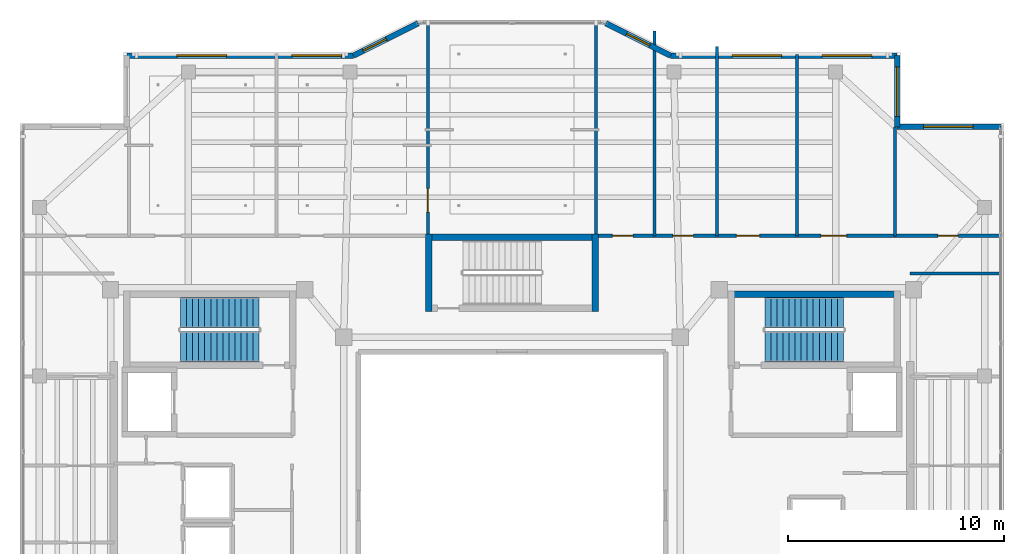
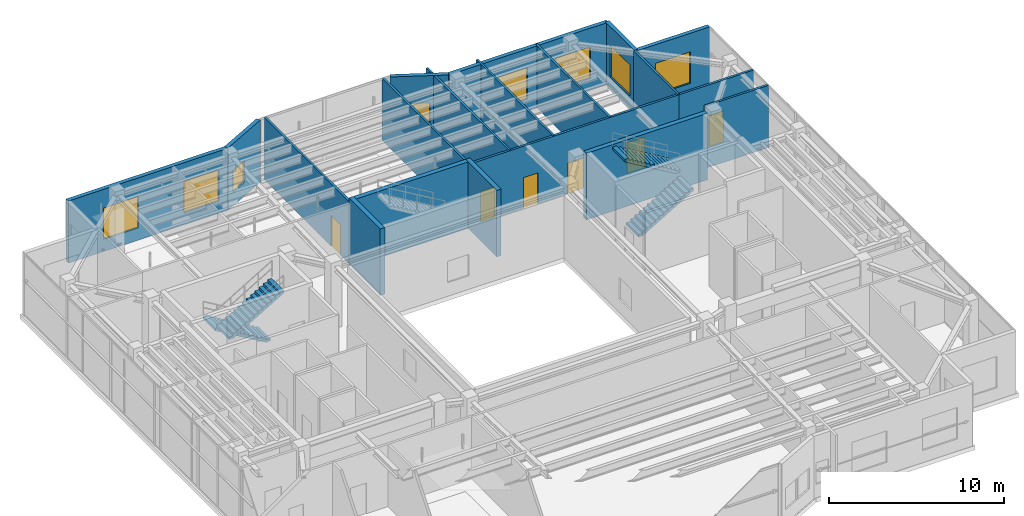
# One storey, part 17 of 25: 19 walls, 8 windows, 6 doors, 4 stair flights, 14 openings, 2 elements without a shape of their own.
"""IFC4 building model written with IfcOpenShell, lengths in metres."""

from ifc_helpers import new_model, si_unit, direction, frame, frame_2d, origin, place, context, subcontext, project, spatial, polyline, rectangle, outline, extrude, material, layer, layer_set, type_object, element, fill, aggregate, save


model = new_model("IFC4")

# Units and contexts
model_context = context("Model", 3, precision=1e-05, world=origin(), true_north=direction((0.0, 1.0)))
body_context = subcontext(model_context, "Body", "Model", "MODEL_VIEW")
ifc_project = project(units=[si_unit("LENGTHUNIT", "METRE"), si_unit("AREAUNIT", "SQUARE_METRE"), si_unit("VOLUMEUNIT", "CUBIC_METRE"), si_unit("PLANEANGLEUNIT", "RADIAN"), si_unit("MASSUNIT", "GRAM", prefix="KILO")], contexts=[model_context])

# Site, building, storey
site_placement = place(None, origin())
site = spatial("IfcSite", under=ifc_project, at=site_placement, CompositionType="ELEMENT")
building_placement = place(site_placement, origin())
building = spatial("IfcBuilding", under=site, at=building_placement, Name="Tarnavaz Court Tower", CompositionType="ELEMENT")
storey_placement = place(building_placement, frame((0.0, 0.0, 271.64990234375)))
storey = spatial("IfcBuildingStorey", under=building, at=storey_placement, Name="L74", CompositionType="ELEMENT", Elevation=271.64990234375)

# Walls
ifc_material_1 = material(Name="Concrete C50/60", Category="concrete")
ifc_layer_1 = layer(ifc_material_1, 0.300048828125)
ifc_layer_set_1 = layer_set([ifc_layer_1], Name="Concrete C50/60")
wall_type_1 = type_object("IfcWallType", Name="WL-CORE-300-C50", PredefinedType="SHEAR", material=ifc_layer_set_1)
for number, where, z_axis, x_axis, name in (
    (1, (10.0, 9.7900390625, 0.0), (0.0, 0.0, 1.0), (1.0, 0.0, 0.0), "L74 East Stair Core Wall 005"),
    (2, (-4.0, 12.43994140625, 0.0), (0.0, 0.0, 1.0), (1.0, 0.0, 0.0), "L74 North Stair Core Wall 009"),
):
    element("IfcWall", number, at=place(storey_placement, frame(where, z_axis=z_axis, x_axis=x_axis)), inside=storey, type_object=wall_type_1, Name=name, PredefinedType="SHEAR", context=body_context, shape_type="SweptSolid", body=[
        extrude(rectangle(XDim=8.0, YDim=0.300048828125, at=frame_2d((4.0, 0.0))), origin(), (0.0, 0.0, 1.0), 4.650146484375),
    ])
for number, where, z_axis, x_axis, name in (
    (3, (-3.85009765625, 9.0, 0.0), (0.0, 0.0, 1.0), (0.0, 1.0, 0.0), "L74 North Stair Core Wall 011"),
    (4, (3.85009765625, 9.0, 0.0), (0.0, 0.0, 1.0), (0.0, 1.0, 0.0), "L74 North Stair Core Wall 012"),
):
    element("IfcWall", number, at=place(storey_placement, frame(where, z_axis=z_axis, x_axis=x_axis)), inside=storey, type_object=wall_type_1, Name=name, PredefinedType="SHEAR", context=body_context, shape_type="SweptSolid", body=[
        extrude(rectangle(XDim=3.590087890625, YDim=0.300048828125, at=frame_2d((1.794921875, 0.0))), origin(), (0.0, 0.0, 1.0), 4.650146484375),
    ])

# Wall, openings, windows
ifc_material_2 = material(Name="Precast Concrete C40/50", Category="concrete")
ifc_layer_2 = layer(ifc_material_2, 0.260009765625)
ifc_layer_set_2 = layer_set([ifc_layer_2], Name="Precast Concrete C40/50")
wall_type_2 = type_object("IfcWallType", Name="WL-EXT-260", PredefinedType="SOLIDWALL", material=ifc_layer_set_2)
wall_1_placement = place(storey_placement, frame((-17.85009765625, 20.85009765625, 0.0), z_axis=(0.0, 0.0, 1.0), x_axis=(1.0, 0.0, 0.0)))
wall_1 = element("IfcWall", 5, at=wall_1_placement, inside=storey, type_object=wall_type_2, Name="L74 Exterior Terracotta Facade Wall 05", PredefinedType="SOLIDWALL", context=body_context, shape_type="SweptSolid", body=[
    extrude(rectangle(XDim=10.5, YDim=0.260009765625, at=frame_2d((5.25, 0.0))), origin(), (0.0, 0.0, 1.0), 4.35009765625),
])
opening_1_placement = place(wall_1_placement, frame((2.324951171875, 0.0, 0.85009765625)))
opening_1 = element("IfcOpeningElement", 6, at=opening_1_placement, cuts=wall_1, Name="Opening W12", PredefinedType="OPENING", context=body_context, shape_type="SweptSolid", body=[
    extrude(rectangle(XDim=2.300048828125, YDim=2.199951171875, at=frame_2d((1.14990234375, 1.10009765625))), frame((0.0, 0.139892578125, 0.0), z_axis=(0.0, -1.0, 0.0), x_axis=(1.0, 0.0, 0.0)), (0.0, 0.0, 1.0), 0.280029296875),
])
opening_2_placement = place(wall_1_placement, frame((7.64990234375, 0.0, 0.85009765625)))
opening_2 = element("IfcOpeningElement", 7, at=opening_2_placement, cuts=wall_1, Name="Opening W12", PredefinedType="OPENING", context=body_context, shape_type="SweptSolid", body=[
    extrude(rectangle(XDim=2.300048828125, YDim=2.199951171875, at=frame_2d((1.14990234375, 1.10009765625))), frame((0.0, 0.139892578125, 0.0), z_axis=(0.0, -1.0, 0.0), x_axis=(1.0, 0.0, 0.0)), (0.0, 0.0, 1.0), 0.280029296875),
])
ifc_material_3 = material(Name="Double-Glazed Solar Low-E Glass", Category="glass")
window_type_1 = type_object("IfcWindowType", Name="WN-COM-2300", PartitioningType="DOUBLE_PANEL_VERTICAL", PredefinedType="WINDOW", material=ifc_material_3)
window_1_placement = place(opening_1_placement, origin())
window_1 = element("IfcWindow", 8, at=window_1_placement, inside=storey, type_object=window_type_1, Name="L74 Public Observation Viewing Deck Window", OverallHeight=2.199951171875, OverallWidth=2.300048828125, PartitioningType="SINGLE_PANEL", PredefinedType="WINDOW", context=body_context, shape_type="SweptSolid", body=[
    extrude(rectangle(XDim=2.300048828125, YDim=2.199951171875, at=frame_2d((1.14990234375, 1.10009765625))), frame((0.0, 0.030029296875, 0.0), z_axis=(0.0, -1.0, 0.0), x_axis=(1.0, 0.0, 0.0)), (0.0, 0.0, 1.0), 0.06005859375),
])
fill(opening_1, window_1)
window_2_placement = place(opening_2_placement, origin())
window_2 = element("IfcWindow", 9, at=window_2_placement, inside=storey, type_object=window_type_1, Name="L74 Skyline Heritage Art Gallery Window", OverallHeight=2.199951171875, OverallWidth=2.300048828125, PartitioningType="SINGLE_PANEL", PredefinedType="WINDOW", context=body_context, shape_type="SweptSolid", body=[
    extrude(rectangle(XDim=2.300048828125, YDim=2.199951171875, at=frame_2d((1.14990234375, 1.10009765625))), frame((0.0, 0.030029296875, 0.0), z_axis=(0.0, -1.0, 0.0), x_axis=(1.0, 0.0, 0.0)), (0.0, 0.0, 1.0), 0.06005859375),
])
fill(opening_2, window_2)

# Wall, opening, window
wall_2_placement = place(storey_placement, frame((-7.35009765625, 20.85009765625, 0.0), z_axis=(0.0, 0.0, 1.0), x_axis=(0.894427191, 0.4472135955, 0.0)))
wall_2 = element("IfcWall", 10, at=wall_2_placement, inside=storey, type_object=wall_type_2, Name="L74 Exterior Terracotta Facade Wall 06", PredefinedType="SOLIDWALL", context=body_context, shape_type="SweptSolid", body=[
    extrude(rectangle(XDim=3.35400390625, YDim=0.260009765625, at=frame_2d((1.677001953125, 0.0))), origin(), (0.0, 0.0, 1.0), 4.35009765625),
])
opening_3_placement = place(wall_2_placement, frame((0.501220703125, 0.0, 0.949951171875)))
opening_3 = element("IfcOpeningElement", 11, at=opening_3_placement, cuts=wall_2, Name="Opening W05", PredefinedType="OPENING", context=body_context, shape_type="SweptSolid", body=[
    extrude(rectangle(XDim=1.199951171875, YDim=1.5, at=frame_2d((0.60009765625, 0.75))), frame((0.0, 0.139892578125, 0.0), z_axis=(0.0, -1.0, 0.0), x_axis=(1.0, 0.0, 0.0)), (0.0, 0.0, 1.0), 0.280029296875),
])
window_type_2 = type_object("IfcWindowType", Name="WN-APT-1200", PartitioningType="SINGLE_PANEL", PredefinedType="WINDOW", material=ifc_material_3)
window_3_placement = place(opening_3_placement, origin())
window_3 = element("IfcWindow", 12, at=window_3_placement, inside=storey, type_object=window_type_2, Name="L74 Skyline Heritage Art Gallery Window", OverallHeight=1.5, OverallWidth=1.199951171875, PartitioningType="SINGLE_PANEL", PredefinedType="WINDOW", context=body_context, shape_type="SweptSolid", body=[
    extrude(rectangle(XDim=1.199951171875, YDim=1.5, at=frame_2d((0.60009765625, 0.75))), frame((0.0, 0.030029296875, 0.0), z_axis=(0.0, -1.0, 0.0), x_axis=(1.0, 0.0, 0.0)), (0.0, 0.0, 1.0), 0.06005859375),
])
fill(opening_3, window_3)

wall_3_placement = place(storey_placement, frame((4.35009765625, 22.35009765625, 0.0), z_axis=(0.0, 0.0, 1.0), x_axis=(0.894427191, -0.4472135955, 0.0)))
wall_3 = element("IfcWall", 13, at=wall_3_placement, inside=storey, type_object=wall_type_2, Name="L74 Exterior Terracotta Facade Wall 08", PredefinedType="SOLIDWALL", context=body_context, shape_type="SweptSolid", body=[
    extrude(rectangle(XDim=3.35400390625, YDim=0.260009765625, at=frame_2d((1.677001953125, 0.0))), origin(), (0.0, 0.0, 1.0), 4.35009765625),
])
opening_4_placement = place(wall_3_placement, frame((1.0771484375, 0.0, 0.949951171875)))
opening_4 = element("IfcOpeningElement", 14, at=opening_4_placement, cuts=wall_3, Name="Opening W05", PredefinedType="OPENING", context=body_context, shape_type="SweptSolid", body=[
    extrude(rectangle(XDim=1.199951171875, YDim=1.5, at=frame_2d((0.60009765625, 0.75))), frame((0.0, 0.139892578125, 0.0), z_axis=(0.0, -1.0, 0.0), x_axis=(1.0, 0.0, 0.0)), (0.0, 0.0, 1.0), 0.280029296875),
])
window_4_placement = place(opening_4_placement, origin())
window_4 = element("IfcWindow", 15, at=window_4_placement, inside=storey, type_object=window_type_2, Name="L74 Prow Cheek Bedroom Window 08", OverallHeight=1.5, OverallWidth=1.199951171875, PartitioningType="SINGLE_PANEL", PredefinedType="WINDOW", context=body_context, shape_type="SweptSolid", body=[
    extrude(rectangle(XDim=1.199951171875, YDim=1.5, at=frame_2d((0.60009765625, 0.75))), frame((0.0, 0.030029296875, 0.0), z_axis=(0.0, -1.0, 0.0), x_axis=(1.0, 0.0, 0.0)), (0.0, 0.0, 1.0), 0.06005859375),
])
fill(opening_4, window_4)

# Wall, openings, windows
wall_4_placement = place(storey_placement, frame((7.35009765625, 20.85009765625, 0.0), z_axis=(0.0, 0.0, 1.0), x_axis=(1.0, 0.0, 0.0)))
wall_4 = element("IfcWall", 16, at=wall_4_placement, inside=storey, type_object=wall_type_2, Name="L74 Exterior Terracotta Facade Wall 09", PredefinedType="SOLIDWALL", context=body_context, shape_type="SweptSolid", body=[
    extrude(rectangle(XDim=10.5, YDim=0.260009765625, at=frame_2d((5.25, 0.0))), origin(), (0.0, 0.0, 1.0), 4.35009765625),
])
opening_5_placement = place(wall_4_placement, frame((2.85009765625, 0.0, 0.85009765625)))
opening_5 = element("IfcOpeningElement", 17, at=opening_5_placement, cuts=wall_4, Name="Opening W12", PredefinedType="OPENING", context=body_context, shape_type="SweptSolid", body=[
    extrude(rectangle(XDim=2.300048828125, YDim=2.199951171875, at=frame_2d((1.14990234375, 1.10009765625))), frame((0.0, 0.139892578125, 0.0), z_axis=(0.0, -1.0, 0.0), x_axis=(1.0, 0.0, 0.0)), (0.0, 0.0, 1.0), 0.280029296875),
])
opening_6_placement = place(wall_4_placement, frame((7.02490234375, 0.0, 0.85009765625)))
opening_6 = element("IfcOpeningElement", 18, at=opening_6_placement, cuts=wall_4, Name="Opening W12", PredefinedType="OPENING", context=body_context, shape_type="SweptSolid", body=[
    extrude(rectangle(XDim=2.300048828125, YDim=2.199951171875, at=frame_2d((1.14990234375, 1.10009765625))), frame((0.0, 0.139892578125, 0.0), z_axis=(0.0, -1.0, 0.0), x_axis=(1.0, 0.0, 0.0)), (0.0, 0.0, 1.0), 0.280029296875),
])
window_5_placement = place(opening_5_placement, origin())
window_5 = element("IfcWindow", 19, at=window_5_placement, inside=storey, type_object=window_type_1, Name="L74 Community Seminar Meeting Room Window", OverallHeight=2.199951171875, OverallWidth=2.300048828125, PartitioningType="SINGLE_PANEL", PredefinedType="WINDOW", context=body_context, shape_type="SweptSolid", body=[
    extrude(rectangle(XDim=2.300048828125, YDim=2.199951171875, at=frame_2d((1.14990234375, 1.10009765625))), frame((0.0, 0.030029296875, 0.0), z_axis=(0.0, -1.0, 0.0), x_axis=(1.0, 0.0, 0.0)), (0.0, 0.0, 1.0), 0.06005859375),
])
fill(opening_5, window_5)
window_6_placement = place(opening_6_placement, origin())
window_6 = element("IfcWindow", 20, at=window_6_placement, inside=storey, type_object=window_type_1, Name="L74 Panoramic Exhibition Lecture Room Window", OverallHeight=2.199951171875, OverallWidth=2.300048828125, PartitioningType="SINGLE_PANEL", PredefinedType="WINDOW", context=body_context, shape_type="SweptSolid", body=[
    extrude(rectangle(XDim=2.300048828125, YDim=2.199951171875, at=frame_2d((1.14990234375, 1.10009765625))), frame((0.0, 0.030029296875, 0.0), z_axis=(0.0, -1.0, 0.0), x_axis=(1.0, 0.0, 0.0)), (0.0, 0.0, 1.0), 0.06005859375),
])
fill(opening_6, window_6)

# Wall, opening, window
wall_5_placement = place(storey_placement, frame((17.85009765625, 20.85009765625, 0.0), z_axis=(0.0, 0.0, 1.0), x_axis=(0.0, -1.0, 0.0)))
wall_5 = element("IfcWall", 21, at=wall_5_placement, inside=storey, type_object=wall_type_2, Name="L74 Exterior Terracotta Facade Wall 10", PredefinedType="SOLIDWALL", context=body_context, shape_type="SweptSolid", body=[
    extrude(rectangle(XDim=3.300048828125, YDim=0.260009765625, at=frame_2d((1.64990234375, 0.0))), origin(), (0.0, 0.0, 1.0), 4.35009765625),
])
opening_7_placement = place(wall_5_placement, frame((0.517578125, 0.0, 0.85009765625)))
opening_7 = element("IfcOpeningElement", 22, at=opening_7_placement, cuts=wall_5, Name="Opening W12", PredefinedType="OPENING", context=body_context, shape_type="SweptSolid", body=[
    extrude(rectangle(XDim=2.300048828125, YDim=2.199951171875, at=frame_2d((1.14990234375, 1.10009765625))), frame((0.0, 0.139892578125, 0.0), z_axis=(0.0, -1.0, 0.0), x_axis=(1.0, 0.0, 0.0)), (0.0, 0.0, 1.0), 0.280029296875),
])
window_7_placement = place(opening_7_placement, origin())
window_7 = element("IfcWindow", 23, at=window_7_placement, inside=storey, type_object=window_type_1, Name="L74 Panoramic Exhibition Lecture Room Window", OverallHeight=2.199951171875, OverallWidth=2.300048828125, PartitioningType="SINGLE_PANEL", PredefinedType="WINDOW", context=body_context, shape_type="SweptSolid", body=[
    extrude(rectangle(XDim=2.300048828125, YDim=2.199951171875, at=frame_2d((1.14990234375, 1.10009765625))), frame((0.0, 0.030029296875, 0.0), z_axis=(0.0, -1.0, 0.0), x_axis=(1.0, 0.0, 0.0)), (0.0, 0.0, 1.0), 0.06005859375),
])
fill(opening_7, window_7)

wall_6_placement = place(storey_placement, frame((17.85009765625, 17.550048828125, 0.0), z_axis=(0.0, 0.0, 1.0), x_axis=(1.0, 0.0, 0.0)))
wall_6 = element("IfcWall", 24, at=wall_6_placement, inside=storey, type_object=wall_type_2, Name="L74 Exterior Terracotta Facade Wall 11", PredefinedType="SOLIDWALL", context=body_context, shape_type="SweptSolid", body=[
    extrude(rectangle(XDim=4.7998046875, YDim=0.260009765625, at=frame_2d((2.39990234375, 0.0))), origin(), (0.0, 0.0, 1.0), 4.35009765625),
])
opening_8_placement = place(wall_6_placement, frame((1.224609375, 0.0, 0.85009765625)))
opening_8 = element("IfcOpeningElement", 25, at=opening_8_placement, cuts=wall_6, Name="Opening W12", PredefinedType="OPENING", context=body_context, shape_type="SweptSolid", body=[
    extrude(rectangle(XDim=2.300048828125, YDim=2.199951171875, at=frame_2d((1.14990234375, 1.10009765625))), frame((0.0, 0.139892578125, 0.0), z_axis=(0.0, -1.0, 0.0), x_axis=(1.0, 0.0, 0.0)), (0.0, 0.0, 1.0), 0.280029296875),
])
window_8_placement = place(opening_8_placement, origin())
window_8 = element("IfcWindow", 26, at=window_8_placement, inside=storey, type_object=window_type_1, Name="L74 L74 NE Terrace Salon Window", OverallHeight=2.199951171875, OverallWidth=2.300048828125, PartitioningType="SINGLE_PANEL", PredefinedType="WINDOW", context=body_context, shape_type="SweptSolid", body=[
    extrude(rectangle(XDim=2.300048828125, YDim=2.199951171875, at=frame_2d((1.14990234375, 1.10009765625))), frame((0.0, 0.030029296875, 0.0), z_axis=(0.0, -1.0, 0.0), x_axis=(1.0, 0.0, 0.0)), (0.0, 0.0, 1.0), 0.06005859375),
])
fill(opening_8, window_8)

# Wall, openings, doors
ifc_material_4 = material(Name="Gypsum Fire-Board on Acoustic Metal Stud", Category="masonry")
ifc_layer_3 = layer(ifc_material_4, 0.14990234375)
ifc_layer_set_3 = layer_set([ifc_layer_3], Name="Gypsum Fire-Board on Acoustic Metal Stud")
wall_type_3 = type_object("IfcWallType", Name="WL-FIRE-150", PredefinedType="PARTITIONING", material=ifc_layer_set_3)
wall_7_placement = place(storey_placement, frame((3.85009765625, 12.5, 0.0), z_axis=(0.0, 0.0, 1.0), x_axis=(1.0, 0.0, 0.0)))
wall_7 = element("IfcWall", 27, at=wall_7_placement, inside=storey, type_object=wall_type_3, Name="L74 NE Wing Corridor Wall 055", PredefinedType="PARTITIONING", context=body_context, shape_type="SweptSolid", body=[
    extrude(rectangle(XDim=13.89990234375, YDim=0.14990234375, at=frame_2d((6.949951171875, 0.0))), origin(), (0.0, 0.0, 1.0), 4.35009765625),
])
opening_9_placement = place(wall_7_placement, frame((0.800048828125, 0.0, 0.0)))
opening_9 = element("IfcOpeningElement", 28, at=opening_9_placement, cuts=wall_7, Name="Opening D13", PredefinedType="OPENING", context=body_context, shape_type="SweptSolid", body=[
    extrude(rectangle(XDim=0.949951171875, YDim=2.14990234375, at=frame_2d((0.47509765625, 1.074951171875))), frame((0.0, 0.0849609375, 0.0), z_axis=(0.0, -1.0, 0.0), x_axis=(1.0, 0.0, 0.0)), (0.0, 0.0, 1.0), 0.169921875),
])
opening_10_placement = place(wall_7_placement, frame((3.60009765625, 0.0, 0.0)))
opening_10 = element("IfcOpeningElement", 29, at=opening_10_placement, cuts=wall_7, Name="Opening D13", PredefinedType="OPENING", context=body_context, shape_type="SweptSolid", body=[
    extrude(rectangle(XDim=0.949951171875, YDim=2.14990234375, at=frame_2d((0.47509765625, 1.074951171875))), frame((0.0, 0.0849609375, 0.0), z_axis=(0.0, -1.0, 0.0), x_axis=(1.0, 0.0, 0.0)), (0.0, 0.0, 1.0), 0.169921875),
])
opening_11_placement = place(wall_7_placement, frame((6.550048828125, 0.0, 0.0)))
opening_11 = element("IfcOpeningElement", 30, at=opening_11_placement, cuts=wall_7, Name="Opening D12", PredefinedType="OPENING", context=body_context, shape_type="SweptSolid", body=[
    extrude(rectangle(XDim=1.080078125, YDim=2.14990234375, at=frame_2d((0.5400390625, 1.074951171875))), frame((0.0, 0.0849609375, 0.0), z_axis=(0.0, -1.0, 0.0), x_axis=(1.0, 0.0, 0.0)), (0.0, 0.0, 1.0), 0.169921875),
])
opening_12_placement = place(wall_7_placement, frame((10.4619140625, 0.0, 0.0)))
opening_12 = element("IfcOpeningElement", 31, at=opening_12_placement, cuts=wall_7, Name="Opening D11", PredefinedType="OPENING", context=body_context, shape_type="SweptSolid", body=[
    extrude(rectangle(XDim=1.199951171875, YDim=2.14990234375, at=frame_2d((0.60009765625, 1.074951171875))), frame((0.0, 0.0849609375, 0.0), z_axis=(0.0, -1.0, 0.0), x_axis=(1.0, 0.0, 0.0)), (0.0, 0.0, 1.0), 0.169921875),
])
ifc_material_5 = material(Name="Engineered Oak Timber", Category="wood")
door_type_1 = type_object("IfcDoorType", Name="DR-INT-1100", OperationType="NOTDEFINED", PredefinedType="DOOR", material=ifc_material_5)
door_1_placement = place(opening_11_placement, origin())
door_1 = element("IfcDoor", 32, at=door_1_placement, inside=storey, type_object=door_type_1, Name="L74 Community Meeting Room Door", OperationType="SINGLE_SWING_LEFT", OverallHeight=2.14990234375, OverallWidth=1.080078125, PredefinedType="DOOR", context=body_context, shape_type="SweptSolid", body=[
    extrude(rectangle(XDim=1.080078125, YDim=2.14990234375, at=frame_2d((0.5400390625, 1.074951171875))), frame((0.0, 0.02490234375, 0.0), z_axis=(0.0, -1.0, 0.0), x_axis=(1.0, 0.0, 0.0)), (0.0, 0.0, 1.0), 0.050048828125),
])
fill(opening_11, door_1)
door_type_2 = type_object("IfcDoorType", Name="DR-INT-1200", OperationType="NOTDEFINED", PredefinedType="DOOR", material=ifc_material_5)
door_2_placement = place(opening_12_placement, origin())
door_2 = element("IfcDoor", 33, at=door_2_placement, inside=storey, type_object=door_type_2, Name="L74 Panoramic Exhibition Lecture Room Door", OperationType="SINGLE_SWING_RIGHT", OverallHeight=2.14990234375, OverallWidth=1.199951171875, PredefinedType="DOOR", context=body_context, shape_type="SweptSolid", body=[
    extrude(rectangle(XDim=1.199951171875, YDim=2.14990234375, at=frame_2d((0.60009765625, 1.074951171875))), frame((0.0, 0.02490234375, 0.0), z_axis=(0.0, -1.0, 0.0), x_axis=(1.0, 0.0, 0.0)), (0.0, 0.0, 1.0), 0.050048828125),
])
fill(opening_12, door_2)
door_type_3 = type_object("IfcDoorType", Name="DR-INT-950", OperationType="NOTDEFINED", PredefinedType="DOOR", material=ifc_material_5)
door_3_placement = place(opening_9_placement, origin())
door_3 = element("IfcDoor", 34, at=door_3_placement, inside=storey, type_object=door_type_3, Name="L74 Accessible WC Door", OperationType="SINGLE_SWING_LEFT", OverallHeight=2.14990234375, OverallWidth=0.949951171875, PredefinedType="DOOR", context=body_context, shape_type="SweptSolid", body=[
    extrude(rectangle(XDim=0.949951171875, YDim=2.14990234375, at=frame_2d((0.47509765625, 1.074951171875))), frame((0.0, 0.02490234375, 0.0), z_axis=(0.0, -1.0, 0.0), x_axis=(1.0, 0.0, 0.0)), (0.0, 0.0, 1.0), 0.050048828125),
])
fill(opening_9, door_3)
door_4_placement = place(opening_10_placement, origin())
door_4 = element("IfcDoor", 35, at=door_4_placement, inside=storey, type_object=door_type_3, Name="L74 Public Toilets Door", OperationType="SINGLE_SWING_RIGHT", OverallHeight=2.14990234375, OverallWidth=0.949951171875, PredefinedType="DOOR", context=body_context, shape_type="SweptSolid", body=[
    extrude(rectangle(XDim=0.949951171875, YDim=2.14990234375, at=frame_2d((0.47509765625, 1.074951171875))), frame((0.0, 0.02490234375, 0.0), z_axis=(0.0, -1.0, 0.0), x_axis=(1.0, 0.0, 0.0)), (0.0, 0.0, 1.0), 0.050048828125),
])
fill(opening_10, door_4)

# Wall
wall_8_placement = place(storey_placement, frame((18.449951171875, 10.75, 0.0), z_axis=(0.0, 0.0, 1.0), x_axis=(1.0, 0.0, 0.0)))
element("IfcWall", 36, at=wall_8_placement, inside=storey, type_object=wall_type_3, Name="L74 Interior Partition 072", PredefinedType="PARTITIONING", context=body_context, shape_type="SweptSolid", body=[
    extrude(rectangle(XDim=4.22998046875, YDim=0.14990234375, at=frame_2d((2.114990234375, 0.0))), origin(), (0.0, 0.0, 1.0), 4.35009765625),
])

# Wall, opening, door
wall_9_placement = place(storey_placement, frame((17.75, 12.5, 0.0), z_axis=(0.0, 0.0, 1.0), x_axis=(1.0, 0.0, 0.0)))
wall_9 = element("IfcWall", 37, at=wall_9_placement, inside=storey, type_object=wall_type_3, Name="L74 Interior Partition 078", PredefinedType="PARTITIONING", context=body_context, shape_type="SweptSolid", body=[
    extrude(rectangle(XDim=4.929931640625, YDim=0.14990234375, at=frame_2d((2.46484375, 0.0))), origin(), (0.0, 0.0, 1.0), 4.35009765625),
])
opening_13_placement = place(wall_9_placement, frame((1.989990234375, 0.0, 0.0)))
opening_13 = element("IfcOpeningElement", 38, at=opening_13_placement, cuts=wall_9, Name="Opening D13", PredefinedType="OPENING", context=body_context, shape_type="SweptSolid", body=[
    extrude(rectangle(XDim=0.949951171875, YDim=2.14990234375, at=frame_2d((0.47509765625, 1.074951171875))), frame((0.0, 0.0849609375, 0.0), z_axis=(0.0, -1.0, 0.0), x_axis=(1.0, 0.0, 0.0)), (0.0, 0.0, 1.0), 0.169921875),
])
door_5_placement = place(opening_13_placement, origin())
door_5 = element("IfcDoor", 39, at=door_5_placement, inside=storey, type_object=door_type_3, Name="L74 NE Terrace Salon Door", OperationType="SINGLE_SWING_LEFT", OverallHeight=2.14990234375, OverallWidth=0.949951171875, PredefinedType="DOOR", context=body_context, shape_type="SweptSolid", body=[
    extrude(rectangle(XDim=0.949951171875, YDim=2.14990234375, at=frame_2d((0.47509765625, 1.074951171875))), frame((0.0, 0.02490234375, 0.0), z_axis=(0.0, -1.0, 0.0), x_axis=(1.0, 0.0, 0.0)), (0.0, 0.0, 1.0), 0.050048828125),
])
fill(opening_13, door_5)

ifc_material_6 = material(Name="Gypsum Plasterboard Acoustic Partition", Category="masonry")
ifc_layer_4 = layer(ifc_material_6, 0.139892578125)
ifc_layer_set_4 = layer_set([ifc_layer_4], Name="Gypsum Plasterboard Acoustic Partition")
wall_type_4 = type_object("IfcWallType", Name="WL-PART-150", PredefinedType="PARTITIONING", material=ifc_layer_set_4)
wall_10_placement = place(storey_placement, frame((-3.89990234375, 12.5, 0.0), z_axis=(0.0, 0.0, 1.0), x_axis=(0.0, 1.0, 0.0)))
wall_10 = element("IfcWall", 40, at=wall_10_placement, inside=storey, type_object=wall_type_4, Name="L74 Interior Partition 058", PredefinedType="PARTITIONING", context=body_context, shape_type="SweptSolid", body=[
    extrude(rectangle(XDim=9.8798828125, YDim=0.139892578125, at=frame_2d((4.93994140625, 0.0))), origin(), (0.0, 0.0, 1.0), 4.35009765625),
])
opening_14_placement = place(wall_10_placement, frame((1.10009765625, 0.0, 0.0)))
opening_14 = element("IfcOpeningElement", 41, at=opening_14_placement, cuts=wall_10, Name="Opening D12", PredefinedType="OPENING", context=body_context, shape_type="SweptSolid", body=[
    extrude(rectangle(XDim=1.080078125, YDim=2.14990234375, at=frame_2d((0.5400390625, 1.074951171875))), frame((0.0, 0.079833984375, 0.0), z_axis=(0.0, -1.0, 0.0), x_axis=(1.0, 0.0, 0.0)), (0.0, 0.0, 1.0), 0.159912109375),
])
door_6_placement = place(opening_14_placement, origin())
door_6 = element("IfcDoor", 42, at=door_6_placement, inside=storey, type_object=door_type_1, Name="L74 North Iwan Sky Salon Door", OperationType="SINGLE_SWING_RIGHT", OverallHeight=2.14990234375, OverallWidth=1.080078125, PredefinedType="DOOR", context=body_context, shape_type="SweptSolid", body=[
    extrude(rectangle(XDim=1.080078125, YDim=2.14990234375, at=frame_2d((0.5400390625, 1.074951171875))), frame((0.0, 0.02490234375, 0.0), z_axis=(0.0, -1.0, 0.0), x_axis=(1.0, 0.0, 0.0)), (0.0, 0.0, 1.0), 0.050048828125),
])
fill(opening_14, door_6)

# Walls
wall_11_placement = place(storey_placement, frame((3.89990234375, 12.5, 0.0), z_axis=(0.0, 0.0, 1.0), x_axis=(0.0, 1.0, 0.0)))
element("IfcWall", 43, at=wall_11_placement, inside=storey, type_object=wall_type_4, Name="L74 Interior Partition 059", PredefinedType="PARTITIONING", context=body_context, shape_type="SweptSolid", body=[
    extrude(rectangle(XDim=9.8798828125, YDim=0.139892578125, at=frame_2d((4.93994140625, 0.0))), origin(), (0.0, 0.0, 1.0), 4.35009765625),
])
wall_12_placement = place(storey_placement, frame((6.60009765625, 12.5, 0.0), z_axis=(0.0, 0.0, 1.0), x_axis=(0.0, 1.0, 0.0)))
element("IfcWall", 44, at=wall_12_placement, inside=storey, type_object=wall_type_4, Name="L74 Interior Partition 061", PredefinedType="PARTITIONING", context=body_context, shape_type="SweptSolid", body=[
    extrude(rectangle(XDim=9.485107421875, YDim=0.139892578125, at=frame_2d((4.74267578125, 0.0))), origin(), (0.0, 0.0, 1.0), 4.35009765625),
])
wall_13_placement = place(storey_placement, frame((9.5, 12.5, 0.0), z_axis=(0.0, 0.0, 1.0), x_axis=(0.0, 1.0, 0.0)))
element("IfcWall", 45, at=wall_13_placement, inside=storey, type_object=wall_type_4, Name="L74 Interior Partition 062", PredefinedType="PARTITIONING", context=body_context, shape_type="SweptSolid", body=[
    extrude(rectangle(XDim=8.77001953125, YDim=0.139892578125, at=frame_2d((4.385009765625, 0.0))), origin(), (0.0, 0.0, 1.0), 4.35009765625),
])
wall_14_placement = place(storey_placement, frame((13.2119140625, 12.5, 0.0), z_axis=(0.0, 0.0, 1.0), x_axis=(0.0, 1.0, 0.0)))
element("IfcWall", 46, at=wall_14_placement, inside=storey, type_object=wall_type_4, Name="L74 Interior Partition 063", PredefinedType="PARTITIONING", context=body_context, shape_type="SweptSolid", body=[
    extrude(rectangle(XDim=8.39990234375, YDim=0.139892578125, at=frame_2d((4.199951171875, 0.0))), origin(), (0.0, 0.0, 1.0), 4.35009765625),
])
wall_15_placement = place(storey_placement, frame((17.75, 12.5, 0.0), z_axis=(0.0, 0.0, 1.0), x_axis=(0.0, 1.0, 0.0)))
element("IfcWall", 47, at=wall_15_placement, inside=storey, type_object=wall_type_4, Name="L74 Interior Partition 076", PredefinedType="PARTITIONING", context=body_context, shape_type="SweptSolid", body=[
    extrude(rectangle(XDim=5.050048828125, YDim=0.139892578125, at=frame_2d((2.52490234375, 0.0))), origin(), (0.0, 0.0, 1.0), 4.35009765625),
])

# Stair, stair flights
ifc_material_7 = material(Name="Concrete C40/50", Category="concrete")
stair_type = type_object("IfcStairType", Name="ST-TWR-28R", PredefinedType="HALF_TURN_STAIR", material=ifc_material_7)
stair_1_placement = place(storey_placement, origin())
stair_1 = element("IfcStair", 48, at=stair_1_placement, inside=storey, type_object=stair_type, Name="L74 West Core Pressurized Exit Stair ST-W1", PredefinedType="HALF_TURN_STAIR")
stair_flight_type = type_object("IfcStairFlightType", Name="SFL-RC-28R", PredefinedType="STRAIGHT", material=ifc_material_7)
stair_flight_1_placement = place(storey_placement, frame((-11.719970703125, 8.929931640625, 0.0), z_axis=(0.0, 0.0, 1.0), x_axis=(-1.0, 0.0, 0.0)))
stair_flight_1 = element("IfcStairFlight", 49, at=stair_flight_1_placement, type_object=stair_flight_type, Name="ST-W1 flight 1", NumberOfRisers=14, NumberOfTreads=13, PredefinedType="STRAIGHT", RiserHeight=0.166071429, TreadLength=0.28, context=body_context, shape_type="SweptSolid", body=[
    extrude(outline(polyline([(0.0, 0.0), (0.0, 0.166015625), (0.280029296875, 0.166015625), (0.280029296875, 0.33203125), (0.56005859375, 0.33203125), (0.56005859375, 0.498291015625), (0.840087890625, 0.498291015625), (0.840087890625, 0.664306640625), (1.1201171875, 0.664306640625), (1.1201171875, 0.830322265625), (1.39990234375, 0.830322265625), (1.39990234375, 0.996337890625), (1.679931640625, 0.996337890625), (1.679931640625, 1.16259765625), (1.9599609375, 1.16259765625), (1.9599609375, 1.32861328125), (2.239990234375, 1.32861328125), (2.239990234375, 1.49462890625), (2.52001953125, 1.49462890625), (2.52001953125, 1.66064453125), (2.800048828125, 1.66064453125), (2.800048828125, 1.826904296875), (3.080078125, 1.826904296875), (3.080078125, 1.992919921875), (3.360107421875, 1.992919921875), (3.360107421875, 2.158935546875), (3.639892578125, 2.158935546875), (3.639892578125, 2.324951171875), (3.639892578125, 1.984619140625), (0.2939453125, 0.0), (0.0, 0.0)])), frame((0.0, 0.7099609375, 0.0), z_axis=(0.0, -1.0, 0.0), x_axis=(1.0, 0.0, 0.0)), (0.0, 0.0, 1.0), 1.419921875),
])
stair_flight_2_placement = place(storey_placement, frame((-15.360107421875, 7.360107421875, 2.3251953125), z_axis=(0.0, 0.0, 1.0), x_axis=(1.0, 0.0, 0.0)))
stair_flight_2 = element("IfcStairFlight", 50, at=stair_flight_2_placement, type_object=stair_flight_type, Name="ST-W1 flight 2", NumberOfRisers=14, NumberOfTreads=13, PredefinedType="STRAIGHT", RiserHeight=0.166071429, TreadLength=0.28, context=body_context, shape_type="SweptSolid", body=[
    extrude(outline(polyline([(0.0, 0.0), (0.0, 0.166015625), (0.280029296875, 0.166015625), (0.280029296875, 0.33203125), (0.56005859375, 0.33203125), (0.56005859375, 0.498291015625), (0.840087890625, 0.498291015625), (0.840087890625, 0.664306640625), (1.1201171875, 0.664306640625), (1.1201171875, 0.830322265625), (1.39990234375, 0.830322265625), (1.39990234375, 0.996337890625), (1.679931640625, 0.996337890625), (1.679931640625, 1.16259765625), (1.9599609375, 1.16259765625), (1.9599609375, 1.32861328125), (2.239990234375, 1.32861328125), (2.239990234375, 1.49462890625), (2.52001953125, 1.49462890625), (2.52001953125, 1.66064453125), (2.800048828125, 1.66064453125), (2.800048828125, 1.826904296875), (3.080078125, 1.826904296875), (3.080078125, 1.992919921875), (3.360107421875, 1.992919921875), (3.360107421875, 2.158935546875), (3.639892578125, 2.158935546875), (3.639892578125, 2.324951171875), (3.639892578125, 1.984619140625), (0.2939453125, 0.0), (0.0, 0.0)])), frame((0.0, 0.7099609375, 0.0), z_axis=(0.0, -1.0, 0.0), x_axis=(1.0, 0.0, 0.0)), (0.0, 0.0, 1.0), 1.419921875),
])
aggregate(stair_1, [stair_flight_1, stair_flight_2])

stair_2_placement = place(storey_placement, origin())
stair_2 = element("IfcStair", 51, at=stair_2_placement, inside=storey, type_object=stair_type, Name="L74 East Core Pressurized Exit Stair ST-E1", PredefinedType="HALF_TURN_STAIR")
stair_flight_3_placement = place(storey_placement, frame((11.719970703125, 7.360107421875, 0.0), z_axis=(0.0, 0.0, 1.0), x_axis=(1.0, 0.0, 0.0)))
stair_flight_3 = element("IfcStairFlight", 52, at=stair_flight_3_placement, type_object=stair_flight_type, Name="ST-E1 flight 1", NumberOfRisers=14, NumberOfTreads=13, PredefinedType="STRAIGHT", RiserHeight=0.166071429, TreadLength=0.28, context=body_context, shape_type="SweptSolid", body=[
    extrude(outline(polyline([(0.0, 0.0), (0.0, 0.166015625), (0.280029296875, 0.166015625), (0.280029296875, 0.33203125), (0.56005859375, 0.33203125), (0.56005859375, 0.498291015625), (0.840087890625, 0.498291015625), (0.840087890625, 0.664306640625), (1.1201171875, 0.664306640625), (1.1201171875, 0.830322265625), (1.39990234375, 0.830322265625), (1.39990234375, 0.996337890625), (1.679931640625, 0.996337890625), (1.679931640625, 1.16259765625), (1.9599609375, 1.16259765625), (1.9599609375, 1.32861328125), (2.239990234375, 1.32861328125), (2.239990234375, 1.49462890625), (2.52001953125, 1.49462890625), (2.52001953125, 1.66064453125), (2.800048828125, 1.66064453125), (2.800048828125, 1.826904296875), (3.080078125, 1.826904296875), (3.080078125, 1.992919921875), (3.360107421875, 1.992919921875), (3.360107421875, 2.158935546875), (3.639892578125, 2.158935546875), (3.639892578125, 2.324951171875), (3.639892578125, 1.984619140625), (0.2939453125, 0.0), (0.0, 0.0)])), frame((0.0, 0.7099609375, 0.0), z_axis=(0.0, -1.0, 0.0), x_axis=(1.0, 0.0, 0.0)), (0.0, 0.0, 1.0), 1.419921875),
])
stair_flight_4_placement = place(storey_placement, frame((15.360107421875, 8.929931640625, 2.3251953125), z_axis=(0.0, 0.0, 1.0), x_axis=(-1.0, 0.0, 0.0)))
stair_flight_4 = element("IfcStairFlight", 53, at=stair_flight_4_placement, type_object=stair_flight_type, Name="ST-E1 flight 2", NumberOfRisers=14, NumberOfTreads=13, PredefinedType="STRAIGHT", RiserHeight=0.166071429, TreadLength=0.28, context=body_context, shape_type="SweptSolid", body=[
    extrude(outline(polyline([(0.0, 0.0), (0.0, 0.166015625), (0.280029296875, 0.166015625), (0.280029296875, 0.33203125), (0.56005859375, 0.33203125), (0.56005859375, 0.498291015625), (0.840087890625, 0.498291015625), (0.840087890625, 0.664306640625), (1.1201171875, 0.664306640625), (1.1201171875, 0.830322265625), (1.39990234375, 0.830322265625), (1.39990234375, 0.996337890625), (1.679931640625, 0.996337890625), (1.679931640625, 1.16259765625), (1.9599609375, 1.16259765625), (1.9599609375, 1.32861328125), (2.239990234375, 1.32861328125), (2.239990234375, 1.49462890625), (2.52001953125, 1.49462890625), (2.52001953125, 1.66064453125), (2.800048828125, 1.66064453125), (2.800048828125, 1.826904296875), (3.080078125, 1.826904296875), (3.080078125, 1.992919921875), (3.360107421875, 1.992919921875), (3.360107421875, 2.158935546875), (3.639892578125, 2.158935546875), (3.639892578125, 2.324951171875), (3.639892578125, 1.984619140625), (0.2939453125, 0.0), (0.0, 0.0)])), frame((0.0, 0.7099609375, 0.0), z_axis=(0.0, -1.0, 0.0), x_axis=(1.0, 0.0, 0.0)), (0.0, 0.0, 1.0), 1.419921875),
])
aggregate(stair_2, [stair_flight_3, stair_flight_4])

save(model, "model.ifc")
